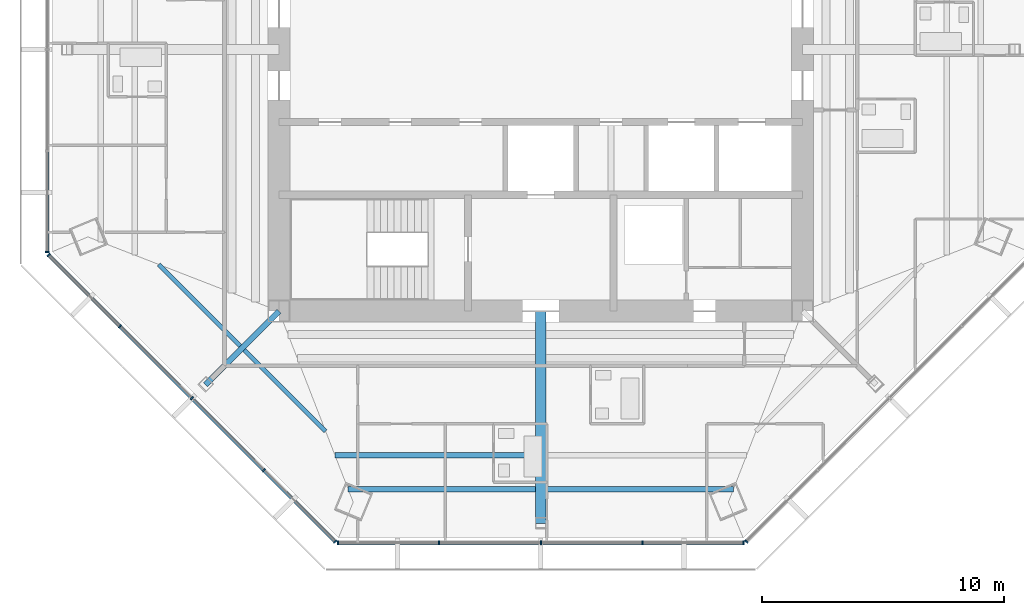
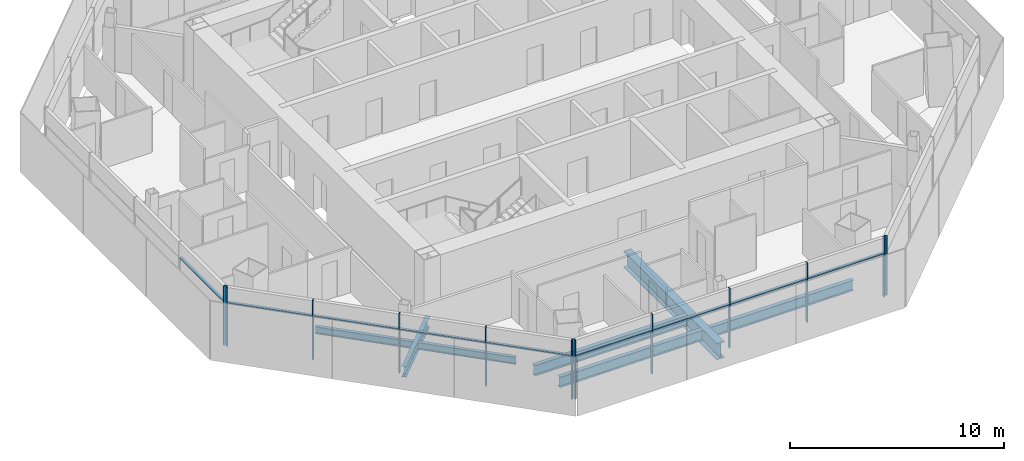
# One storey, part 2 of 15: 21 members, 7 beams, 4 elements without a shape of their own.
"""IFC4 building model written with IfcOpenShell, lengths in metres."""

import ifcopenshell
import ifcopenshell.guid

model = None  # the IFC model being written
_history = None  # IfcOwnerHistory: only IFC2X3 demands one
_inside = {}  # id of a spatial element -> (the spatial element, [elements in it])
_under = {}  # id of a project, library or spatial element -> (it, [spatial elements below it])
_declared = {}  # id of a project -> (the project, [libraries it declares])
_typed = {}  # id of a type object -> (the type object, [elements of that type])
_made_of = {}  # id of a material, layer set ... -> (it, [elements and type objects made of it])


def new_model(schema):
    """Start an empty IFC model of exactly this schema.

    Asked for "IFC4X3", IfcOpenShell would pick the latest addendum, in which some entities
    have other attributes; the version numbers below select the first issue.
    IFC2X3 requires an IfcOwnerHistory on every rooted entity: one is made here for all.
    """
    global model, _history
    if schema == "IFC4X3":
        model = ifcopenshell.file(schema_version=(4, 3, 0, 0))
    else:
        model = ifcopenshell.file(schema=schema)
    _inside.clear()
    _under.clear()
    _declared.clear()
    _typed.clear()
    _made_of.clear()
    _history = None
    if model.schema == "IFC2X3":
        org = make("IfcOrganization", Name="unknown")
        user = make(
            "IfcPersonAndOrganization",
            ThePerson=make("IfcPerson", FamilyName="unknown"),
            TheOrganization=org,
        )
        app = make(
            "IfcApplication",
            ApplicationDeveloper=org,
            Version="unknown",
            ApplicationFullName="unknown",
            ApplicationIdentifier="unknown",
        )
        _history = make(
            "IfcOwnerHistory",
            OwningUser=user,
            OwningApplication=app,
            ChangeAction="ADDED",
            CreationDate=0,
        )
    return model


def make(cls, **values):
    """One entity of the class cls with the attributes given. An attribute that is None is left unset."""
    return model.create_entity(
        cls, **{name: value for name, value in values.items() if value is not None}
    )


def rooted(cls, **values):
    """An entity with a GlobalId (a new one), such as an element, a storey or a relation."""
    return make(cls, GlobalId=ifcopenshell.guid.new(), OwnerHistory=_history, **values)


def si_unit(unit_type, name, prefix=None):
    """IfcSIUnit, for example si_unit("LENGTHUNIT", "METRE", prefix="MILLI")."""
    return make("IfcSIUnit", UnitType=unit_type, Prefix=prefix, Name=name)


def assignment(units):
    """IfcUnitAssignment: the units of a project."""
    return None if units is None else make("IfcUnitAssignment", Units=units)


def point(xyz):
    """IfcCartesianPoint."""
    return None if xyz is None else make("IfcCartesianPoint", Coordinates=xyz)


def direction(xyz):
    """IfcDirection."""
    return None if xyz is None else make("IfcDirection", DirectionRatios=xyz)


def frame(location, z_axis=None, x_axis=None):
    """IfcAxis2Placement3D, a coordinate frame: its origin and axes. An axis left out is left unset."""
    return make(
        "IfcAxis2Placement3D",
        Location=point(location),
        Axis=direction(z_axis),
        RefDirection=direction(x_axis),
    )


def frame_2d(location, x_axis=None):
    """IfcAxis2Placement2D, a coordinate frame in the plane: its origin and x axis."""
    return make(
        "IfcAxis2Placement2D", Location=point(location), RefDirection=direction(x_axis)
    )


def origin():
    """The frame at (0, 0, 0) with its axes left unset."""
    return frame((0.0, 0.0, 0.0))


def origin_2d():
    """The frame at (0, 0) in the plane with its x axis left unset."""
    return frame_2d((0.0, 0.0))


def place(relative_to, where):
    """IfcLocalPlacement: puts the frame where relative to a parent placement (None: the world)."""
    return make(
        "IfcLocalPlacement", PlacementRelTo=relative_to, RelativePlacement=where
    )


def context(
    kind, dimensions, precision=None, world=None, true_north=None, identifier=None
):
    """IfcGeometricRepresentationContext, for example the 3D "Model" context."""
    return make(
        "IfcGeometricRepresentationContext",
        ContextIdentifier=identifier,
        ContextType=kind,
        CoordinateSpaceDimension=dimensions,
        Precision=precision,
        WorldCoordinateSystem=world,
        TrueNorth=true_north,
    )


def subcontext(parent, identifier, kind, view, scale=None):
    """IfcGeometricRepresentationSubContext, for example "Body" below "Model"."""
    return make(
        "IfcGeometricRepresentationSubContext",
        ContextIdentifier=identifier,
        ContextType=kind,
        ParentContext=parent,
        TargetScale=scale,
        TargetView=view,
    )


def project(units=None, contexts=None):
    """IfcProject with its units and contexts."""
    return rooted(
        "IfcProject",
        Name="project",
        RepresentationContexts=contexts,
        UnitsInContext=assignment(units),
    )


def spatial(cls, under=None, at=None, **own):
    """A site, building, storey or space (cls), placed at a placement, below another one or the project."""
    s = rooted(cls, ObjectPlacement=at, **own)
    if under is not None:
        _under.setdefault(under.id(), (under, []))[1].append(s)
    return s


def profile(cls, at=None, kind="AREA", **sizes):
    """A parametric profile (cls). Its sizes go by their IFC names, for example OverallWidth=200.0."""
    return make(cls, ProfileType=kind, Position=at, **sizes)


def rectangle(**sizes):
    """IfcRectangleProfileDef."""
    return profile("IfcRectangleProfileDef", **sizes)


def i_section(**sizes):
    """IfcIShapeProfileDef."""
    return profile("IfcIShapeProfileDef", **sizes)


def extrude(swept, where, along, depth):
    """IfcExtrudedAreaSolid: the profile swept, set in the frame where, extruded along a direction by depth."""
    return make(
        "IfcExtrudedAreaSolid",
        SweptArea=swept,
        Position=where,
        ExtrudedDirection=direction(along),
        Depth=depth,
    )


def shape(context_of_items, identifier, shape_type, items):
    """IfcShapeRepresentation: the items that make up one representation, for example the "Body"."""
    return make(
        "IfcShapeRepresentation",
        ContextOfItems=context_of_items,
        RepresentationIdentifier=identifier,
        RepresentationType=shape_type,
        Items=items,
    )


def source(mapping_origin, context_of_items, identifier, shape_type, items):
    """IfcRepresentationMap: a shape defined once, which mapped items show again and again."""
    return make(
        "IfcRepresentationMap",
        MappingOrigin=mapping_origin,
        MappedRepresentation=shape(context_of_items, identifier, shape_type, items),
    )


def transform(
    local_origin,
    x_axis=None,
    y_axis=None,
    z_axis=None,
    scale=None,
    scale2=None,
    scale3=None,
    uniform=True,
):
    """IfcCartesianTransformationOperator3D, or its non-uniform kind. x_axis, y_axis, z_axis: its Axis1, 2, 3."""
    if uniform:
        return make(
            "IfcCartesianTransformationOperator3D",
            Axis1=direction(x_axis),
            Axis2=direction(y_axis),
            LocalOrigin=point(local_origin),
            Scale=scale,
            Axis3=direction(z_axis),
        )
    return make(
        "IfcCartesianTransformationOperator3DnonUniform",
        Axis1=direction(x_axis),
        Axis2=direction(y_axis),
        LocalOrigin=point(local_origin),
        Scale=scale,
        Axis3=direction(z_axis),
        Scale2=scale2,
        Scale3=scale3,
    )


def mapped(mapping_source, mapping_target):
    """IfcMappedItem: shows the shape of a source again, moved by a transform."""
    return make(
        "IfcMappedItem", MappingSource=mapping_source, MappingTarget=mapping_target
    )


def material(Name=None, Category=None):
    """IfcMaterial."""
    return make("IfcMaterial", Name=Name, Category=Category)


def material_profile(
    of_material, cross_section, Name=None, Category=None, Priority=None
):
    """IfcMaterialProfile: a cross section and its material."""
    return make(
        "IfcMaterialProfile",
        Name=Name,
        Material=of_material,
        Profile=cross_section,
        Priority=Priority,
        Category=Category,
    )


def profile_set(profiles, Name=None, composite=None):
    """IfcMaterialProfileSet."""
    return make(
        "IfcMaterialProfileSet",
        Name=Name,
        MaterialProfiles=profiles,
        CompositeProfile=composite,
    )


def made_of(thing, what):
    """Note that an element or type object is made of a material, layer set ...; save() writes the relation."""
    if what is not None:
        _made_of.setdefault(what.id(), (what, []))[1].append(thing)
    return thing


def type_object(cls, material=None, **own):
    """A type object (cls), such as IfcWallType, which elements share."""
    return made_of(rooted(cls, **own), material)


def type_shapes(of_type, sources):
    """Give a type object the sources (RepresentationMaps) that its elements show as mapped items."""
    of_type.RepresentationMaps = sources


def element(
    cls,
    number,
    at=None,
    inside=None,
    cuts=None,
    type_object=None,
    material=None,
    context=None,
    identifier="Body",
    shape_type=None,
    held_by="IfcProductDefinitionShape",
    body=None,
    shapes=None,
    **own,
):
    """One element of the class cls, such as IfcWall. Its Tag is "e" and its number.

    at: its placement. inside: the storey or other place that contains it. cuts: it is an
    opening in that element (IfcRelVoidsElement). A single representation is given by context,
    identifier, shape_type and body (its items); several are given by shapes. held_by: the class
    of the entity that holds the representations. save() writes the other relations.
    """
    e = rooted(cls, Tag="e%d" % number, ObjectPlacement=at, **own)
    if body is not None:
        shapes = [shape(context, identifier, shape_type, body)]
    if shapes is not None:
        e.Representation = make(held_by, Representations=shapes)
    if inside is not None:
        _inside.setdefault(inside.id(), (inside, []))[1].append(e)
    if cuts is not None:
        rooted(
            "IfcRelVoidsElement", RelatingBuildingElement=cuts, RelatedOpeningElement=e
        )
    if type_object is not None:
        _typed.setdefault(type_object.id(), (type_object, []))[1].append(e)
    return made_of(e, material)


def aggregate(whole, parts):
    """IfcRelAggregates: a whole, such as a stair, and the parts it consists of."""
    return rooted("IfcRelAggregates", RelatingObject=whole, RelatedObjects=parts)


def save(model, path):
    """Write the relations noted so far, then the file.

    IfcRelAggregates (storeys below a building ...), IfcRelContainedInSpatialStructure (elements
    in a storey), IfcRelDefinesByType, IfcRelAssociatesMaterial and IfcRelDeclares: one each for
    every whole, place, type object, material and project.
    """
    for whole, parts in _under.values():
        aggregate(whole, parts)
    for where, things in _inside.values():
        rooted(
            "IfcRelContainedInSpatialStructure",
            RelatedElements=things,
            RelatingStructure=where,
        )
    for kind, things in _typed.values():
        rooted("IfcRelDefinesByType", RelatedObjects=things, RelatingType=kind)
    for what, things in _made_of.values():
        rooted("IfcRelAssociatesMaterial", RelatedObjects=things, RelatingMaterial=what)
    for by, libraries in _declared.values():
        rooted("IfcRelDeclares", RelatingContext=by, RelatedDefinitions=libraries)
    model.write(path)


model = new_model("IFC4")

# Units and contexts
model_context = context("Model", 3, precision=1e-05, world=origin(), true_north=direction((0.0, 1.0)))
body_context = subcontext(model_context, "Body", "Model", "MODEL_VIEW")
ifc_project = project(units=[si_unit("LENGTHUNIT", "METRE"), si_unit("AREAUNIT", "SQUARE_METRE"), si_unit("VOLUMEUNIT", "CUBIC_METRE"), si_unit("PLANEANGLEUNIT", "RADIAN"), si_unit("MASSUNIT", "GRAM", prefix="KILO")], contexts=[model_context])

# Site, building, storey
site_placement = place(None, origin())
site = spatial("IfcSite", under=ifc_project, at=site_placement, CompositionType="ELEMENT")
building_placement = place(site_placement, origin())
building = spatial("IfcBuilding", under=site, at=building_placement, Name="Mashrafa Tower", CompositionType="ELEMENT")
storey_placement = place(building_placement, frame((0.0, 0.0, 270.800048828125)))
storey = spatial("IfcBuildingStorey", under=building, at=storey_placement, Name="L65", CompositionType="ELEMENT", Elevation=270.800048828125)

# Beams
ifc_material_1 = material(Name="Steel ASTM A992", Category="steel")
ifc_material_profile_1 = material_profile(ifc_material_1, i_section(OverallWidth=0.177734375, OverallDepth=0.406494140625, WebThickness=0.0078125, FlangeThickness=0.012939453125, FilletRadius=0.01025390625, at=origin_2d()), Name="W16X40")
ifc_profile_set_1 = profile_set([ifc_material_profile_1], Name="Steel ASTM A992")
beam_type_1 = type_object("IfcBeamType", Name="Beam W16X40", PredefinedType="BEAM", material=ifc_profile_set_1)
for number, where, z_axis, x_axis, name in (
    (1, (-12.396484375, -12.234619140625, -0.4033203125), (-0.7070810911, 0.70713247034, 0.0), (-0.70713247034, -0.7070810911, 0.0), "Floor beam L65 008"),
    (2, (-8.87451171875, -15.75634765625, -0.4033203125), (-0.70713247034, 0.7070810911, 0.0), (-0.7070810911, -0.70713247034, 0.0), "Floor beam L65 014"),
):
    element("IfcBeam", number, at=place(storey_placement, frame(where, z_axis=z_axis, x_axis=x_axis)), inside=storey, type_object=beam_type_1, Name=name, PredefinedType="BEAM", context=body_context, shape_type="SweptSolid", body=[
        extrude(i_section(OverallWidth=0.177734375, OverallDepth=0.406494140625, WebThickness=0.0078125, FlangeThickness=0.012939453125, FilletRadius=0.01025390625, at=origin_2d()), origin(), (0.0, 0.0, 1.0), 4.751708984375),
    ])
ifc_material_2 = material(Name="Steel ASTM A992", Category="steel")
ifc_material_profile_2 = material_profile(ifc_material_2, i_section(OverallWidth=0.227783203125, OverallDepth=0.60205078125, WebThickness=0.010498046875, FlangeThickness=0.014892578125, FilletRadius=0.012939453125, at=origin_2d()), Name="W24X68")
ifc_profile_set_2 = profile_set([ifc_material_profile_2], Name="Steel ASTM A992")
beam_type_2 = type_object("IfcBeamType", Name="Beam W24X68", PredefinedType="BEAM", material=ifc_profile_set_2)
beam_1_placement = place(storey_placement, frame((-0.20947265625, -18.150390625, -0.5009765625), z_axis=(-1.0, 0.0, 0.0), x_axis=(0.0, -1.0, 0.0)))
element("IfcBeam", 3, at=beam_1_placement, inside=storey, type_object=beam_type_2, Name="Floor beam L65 017", PredefinedType="BEAM", context=body_context, shape_type="SweptSolid", body=[
    extrude(i_section(OverallWidth=0.227783203125, OverallDepth=0.60205078125, WebThickness=0.010498046875, FlangeThickness=0.014892578125, FilletRadius=0.012939453125, at=origin_2d()), origin(), (0.0, 0.0, 1.0), 7.735107421875),
])
beam_2_placement = place(storey_placement, frame((-0.20947265625, -16.740966796875, -0.5009765625), z_axis=(-1.0, 0.0, 0.0), x_axis=(0.0, -1.0, 0.0)))
element("IfcBeam", 4, at=beam_2_placement, inside=storey, type_object=beam_type_2, Name="Floor beam L65 018", PredefinedType="BEAM", context=body_context, shape_type="SweptSolid", body=[
    extrude(i_section(OverallWidth=0.227783203125, OverallDepth=0.60205078125, WebThickness=0.010498046875, FlangeThickness=0.014892578125, FilletRadius=0.012939453125, at=origin_2d()), origin(), (0.0, 0.0, 1.0), 8.28271484375),
])
beam_3_placement = place(storey_placement, frame((7.944580078125, -18.150390625, -0.5009765625), z_axis=(-1.0, 0.0, 0.0), x_axis=(0.0, -1.0, 0.0)))
element("IfcBeam", 5, at=beam_3_placement, inside=storey, type_object=beam_type_2, Name="Floor beam L65 025", PredefinedType="BEAM", context=body_context, shape_type="SweptSolid", body=[
    extrude(i_section(OverallWidth=0.227783203125, OverallDepth=0.60205078125, WebThickness=0.010498046875, FlangeThickness=0.014892578125, FilletRadius=0.012939453125, at=origin_2d()), origin(), (0.0, 0.0, 1.0), 7.735107421875),
])
ifc_material_3 = material(Name="Steel ASTM A992", Category="steel")
ifc_material_profile_3 = material_profile(ifc_material_3, i_section(OverallWidth=0.22900390625, OverallDepth=0.612060546875, WebThickness=0.011962890625, FlangeThickness=0.01953125, FilletRadius=0.0126953125, at=origin_2d()), Name="W24X84")
ifc_profile_set_3 = profile_set([ifc_material_profile_3], Name="Steel ASTM A992")
beam_type_3 = type_object("IfcBeamType", Name="Beam W24X84", PredefinedType="BEAM", material=ifc_profile_set_3)
beam_4_placement = place(storey_placement, frame((-10.800048828125, -10.800048828125, -0.506103515625), z_axis=(-0.707106781187, -0.707106781187, 0.0), x_axis=(0.707106781187, -0.707106781187, 0.0)))
element("IfcBeam", 6, at=beam_4_placement, inside=storey, type_object=beam_type_3, Name="Radial girder L65 041", PredefinedType="BEAM", context=body_context, shape_type="SweptSolid", body=[
    extrude(i_section(OverallWidth=0.22900390625, OverallDepth=0.612060546875, WebThickness=0.011962890625, FlangeThickness=0.01953125, FilletRadius=0.0126953125, at=origin_2d()), origin(), (0.0, 0.0, 1.0), 4.2861328125),
])
ifc_material_4 = material(Name="Steel ASTM A992", Category="steel")
ifc_material_profile_4 = material_profile(ifc_material_4, i_section(OverallWidth=0.419189453125, OverallDepth=0.927001953125, WebThickness=0.019287109375, FlangeThickness=0.031982421875, FilletRadius=0.020263671875, at=origin_2d()), Name="W36X231")
ifc_profile_set_4 = profile_set([ifc_material_profile_4], Name="Steel ASTM A992")
beam_type_4 = type_object("IfcBeamType", Name="Beam W36X231", PredefinedType="BEAM", material=ifc_profile_set_4)
beam_5_placement = place(storey_placement, frame((0.0, -10.800048828125, -0.66357421875), z_axis=(0.0, -1.0, 0.0), x_axis=(1.0, 0.0, 0.0)))
element("IfcBeam", 7, at=beam_5_placement, inside=storey, type_object=beam_type_4, Name="Radial girder L65 044", PredefinedType="BEAM", context=body_context, shape_type="SweptSolid", body=[
    extrude(i_section(OverallWidth=0.419189453125, OverallDepth=0.927001953125, WebThickness=0.019287109375, FlangeThickness=0.031982421875, FilletRadius=0.020263671875, at=origin_2d()), origin(), (0.0, 0.0, 1.0), 8.759765625),
])

# Curtain wall, member
ifc_material_5 = material(Name="Unitised aluminium curtain wall", Category="aluminium")
curtain_wall_type = type_object("IfcCurtainWallType", Name="Apartment curtain wall, zone 4 CW-D 160 deep", PredefinedType="NOTDEFINED", material=ifc_material_5)
curtain_wall_1_placement = place(storey_placement, origin())
curtain_wall_1 = element("IfcCurtainWall", 8, at=curtain_wall_1_placement, inside=storey, type_object=curtain_wall_type, Name="Apartment curtain wall, zone 4 L65 west", PredefinedType="NOTDEFINED")
ifc_material_6 = material(Name="Extruded aluminium mullion", Category="aluminium")
ifc_material_profile_5 = material_profile(ifc_material_6, rectangle(XDim=0.159912109375, YDim=0.06005859375, at=origin_2d()), Name="Mullion 60x160")
ifc_profile_set_5 = profile_set([ifc_material_profile_5], Name="Extruded aluminium mullion")
member_type_1 = type_object("IfcMemberType", Name="Mullion CW-D 60 x 160", PredefinedType="MULLION", material=ifc_profile_set_5)
shared_shape_1 = source(origin(), body_context, "Body", "SweptSolid", [
    extrude(rectangle(XDim=0.159912109375, YDim=0.06005859375, at=origin_2d()), origin(), (0.0, 0.0, 1.0), 3.39990234375),
])
type_shapes(member_type_1, [shared_shape_1])
member_1_placement = place(storey_placement, frame((-20.354248046875, -8.35791015625, 0.0), z_axis=(0.0, 0.0, 1.0), x_axis=(1.0, 0.0, 0.0)))
member_1 = element("IfcMember", 9, at=member_1_placement, type_object=member_type_1, Name="CW-D mullion 5", PredefinedType="MULLION", context=body_context, shape_type="MappedRepresentation", body=[
    mapped(shared_shape_1, transform((0.0, 0.0, 0.0))),
])

# Curtain wall, members
curtain_wall_2_placement = place(storey_placement, origin())
curtain_wall_2 = element("IfcCurtainWall", 10, at=curtain_wall_2_placement, inside=storey, type_object=curtain_wall_type, Name="Apartment curtain wall, zone 4 L65 south-west", PredefinedType="NOTDEFINED")
member_2_placement = place(storey_placement, frame((-20.302490234375, -8.482666015625, 0.0), z_axis=(0.0, 0.0, 1.0), x_axis=(0.707106781187, 0.707106781187, 0.0)))
member_2 = element("IfcMember", 11, at=member_2_placement, type_object=member_type_1, Name="CW-D mullion 1", PredefinedType="MULLION", context=body_context, shape_type="MappedRepresentation", body=[
    mapped(shared_shape_1, transform((0.0, 0.0, 0.0))),
])
member_3_placement = place(storey_placement, frame((-17.358154296875, -11.427001953125, 0.0), z_axis=(0.0, 0.0, 1.0), x_axis=(0.707106781187, 0.707106781187, 0.0)))
member_3 = element("IfcMember", 12, at=member_3_placement, type_object=member_type_1, Name="CW-D mullion 2", PredefinedType="MULLION", context=body_context, shape_type="MappedRepresentation", body=[
    mapped(shared_shape_1, transform((0.0, 0.0, 0.0))),
])
member_4_placement = place(storey_placement, frame((-14.392578125, -14.392578125, 0.0), z_axis=(0.0, 0.0, 1.0), x_axis=(0.707106781187, 0.707106781187, 0.0)))
member_4 = element("IfcMember", 13, at=member_4_placement, type_object=member_type_1, Name="CW-D mullion 3", PredefinedType="MULLION", context=body_context, shape_type="MappedRepresentation", body=[
    mapped(shared_shape_1, transform((0.0, 0.0, 0.0))),
])
member_5_placement = place(storey_placement, frame((-11.427001953125, -17.358154296875, 0.0), z_axis=(0.0, 0.0, 1.0), x_axis=(0.707106781187, 0.707106781187, 0.0)))
member_5 = element("IfcMember", 14, at=member_5_placement, type_object=member_type_1, Name="CW-D mullion 4", PredefinedType="MULLION", context=body_context, shape_type="MappedRepresentation", body=[
    mapped(shared_shape_1, transform((0.0, 0.0, 0.0))),
])
member_6_placement = place(storey_placement, frame((-8.482666015625, -20.302490234375, 0.0), z_axis=(0.0, 0.0, 1.0), x_axis=(0.707106781187, 0.707106781187, 0.0)))
member_6 = element("IfcMember", 15, at=member_6_placement, type_object=member_type_1, Name="CW-D mullion 5", PredefinedType="MULLION", context=body_context, shape_type="MappedRepresentation", body=[
    mapped(shared_shape_1, transform((0.0, 0.0, 0.0))),
])

curtain_wall_3_placement = place(storey_placement, origin())
curtain_wall_3 = element("IfcCurtainWall", 16, at=curtain_wall_3_placement, inside=storey, type_object=curtain_wall_type, Name="Apartment curtain wall, zone 4 L65 south", PredefinedType="NOTDEFINED")
member_7_placement = place(storey_placement, frame((-8.35791015625, -20.354248046875, 0.0), z_axis=(0.0, 0.0, 1.0), x_axis=(0.0, 1.0, 0.0)))
member_7 = element("IfcMember", 17, at=member_7_placement, type_object=member_type_1, Name="CW-D mullion 1", PredefinedType="MULLION", context=body_context, shape_type="MappedRepresentation", body=[
    mapped(shared_shape_1, transform((0.0, 0.0, 0.0))),
])
member_8_placement = place(storey_placement, frame((-4.19384765625, -20.354248046875, 0.0), z_axis=(0.0, 0.0, 1.0), x_axis=(0.0, 1.0, 0.0)))
member_8 = element("IfcMember", 18, at=member_8_placement, type_object=member_type_1, Name="CW-D mullion 2", PredefinedType="MULLION", context=body_context, shape_type="MappedRepresentation", body=[
    mapped(shared_shape_1, transform((0.0, 0.0, 0.0))),
])
member_9_placement = place(storey_placement, frame((0.0, -20.354248046875, 0.0), z_axis=(0.0, 0.0, 1.0), x_axis=(0.0, 1.0, 0.0)))
member_9 = element("IfcMember", 19, at=member_9_placement, type_object=member_type_1, Name="CW-D mullion 3", PredefinedType="MULLION", context=body_context, shape_type="MappedRepresentation", body=[
    mapped(shared_shape_1, transform((0.0, 0.0, 0.0))),
])
member_10_placement = place(storey_placement, frame((4.19384765625, -20.354248046875, 0.0), z_axis=(0.0, 0.0, 1.0), x_axis=(0.0, 1.0, 0.0)))
member_10 = element("IfcMember", 20, at=member_10_placement, type_object=member_type_1, Name="CW-D mullion 4", PredefinedType="MULLION", context=body_context, shape_type="MappedRepresentation", body=[
    mapped(shared_shape_1, transform((0.0, 0.0, 0.0))),
])
member_11_placement = place(storey_placement, frame((8.35791015625, -20.354248046875, 0.0), z_axis=(0.0, 0.0, 1.0), x_axis=(0.0, 1.0, 0.0)))
member_11 = element("IfcMember", 21, at=member_11_placement, type_object=member_type_1, Name="CW-D mullion 5", PredefinedType="MULLION", context=body_context, shape_type="MappedRepresentation", body=[
    mapped(shared_shape_1, transform((0.0, 0.0, 0.0))),
])

# Curtain wall, member
curtain_wall_4_placement = place(storey_placement, origin())
curtain_wall_4 = element("IfcCurtainWall", 22, at=curtain_wall_4_placement, inside=storey, type_object=curtain_wall_type, Name="Apartment curtain wall, zone 4 L65 south-east", PredefinedType="NOTDEFINED")
member_12_placement = place(storey_placement, frame((8.482666015625, -20.302490234375, 0.0), z_axis=(0.0, 0.0, 1.0), x_axis=(-0.707106781187, 0.707106781187, 0.0)))
member_12 = element("IfcMember", 23, at=member_12_placement, type_object=member_type_1, Name="CW-D mullion 1", PredefinedType="MULLION", context=body_context, shape_type="MappedRepresentation", body=[
    mapped(shared_shape_1, transform((0.0, 0.0, 0.0))),
])
aggregate(curtain_wall_4, [member_12])

# Member
ifc_material_7 = material(Name="Extruded aluminium transom", Category="aluminium")
ifc_material_profile_6 = material_profile(ifc_material_7, rectangle(XDim=0.1279296875, YDim=0.074951171875, at=origin_2d()), Name="Transom 75x128")
ifc_profile_set_6 = profile_set([ifc_material_profile_6], Name="Extruded aluminium transom")
member_type_2 = type_object("IfcMemberType", Name="Transom CW-D 75 x 128", PredefinedType="MULLION", material=ifc_profile_set_6)
shared_shape_2 = source(origin(), body_context, "Body", "SweptSolid", [
    extrude(rectangle(XDim=0.1279296875, YDim=0.074951171875, at=origin_2d()), origin(), (0.0, 0.0, 1.0), 4.10400390625),
])
member_13_placement = place(storey_placement, frame((-20.354248046875, -4.223876953125, 2.5), z_axis=(0.0, -1.0, 0.0), x_axis=(1.0, 0.0, 0.0)))
member_13 = element("IfcMember", 24, at=member_13_placement, type_object=member_type_2, Name="CW-D transom 4", PredefinedType="MULLION", context=body_context, shape_type="MappedRepresentation", body=[
    mapped(shared_shape_2, transform((0.0, 0.0, 0.0))),
])

aggregate(curtain_wall_1, [member_1, member_13])

member_14_placement = place(storey_placement, frame((-8.327880859375, -20.354248046875, 2.5), z_axis=(1.0, 0.0, 0.0), x_axis=(0.0, 1.0, 0.0)))
member_14 = element("IfcMember", 25, at=member_14_placement, type_object=member_type_2, Name="CW-D transom 1", PredefinedType="MULLION", context=body_context, shape_type="MappedRepresentation", body=[
    mapped(shared_shape_2, transform((0.0, 0.0, 0.0))),
])

member_15_placement = place(storey_placement, frame((4.223876953125, -20.354248046875, 2.5), z_axis=(1.0, 0.0, 0.0), x_axis=(0.0, 1.0, 0.0)))
member_15 = element("IfcMember", 26, at=member_15_placement, type_object=member_type_2, Name="CW-D transom 4", PredefinedType="MULLION", context=body_context, shape_type="MappedRepresentation", body=[
    mapped(shared_shape_2, transform((0.0, 0.0, 0.0))),
])

shared_shape_3 = source(origin(), body_context, "Body", "SweptSolid", [
    extrude(rectangle(XDim=0.1279296875, YDim=0.074951171875, at=origin_2d()), origin(), (0.0, 0.0, 1.0), 4.1337890625),
])
member_16_placement = place(storey_placement, frame((-17.3369140625, -11.4482421875, 2.5), z_axis=(0.707106781187, -0.707106781187, 0.0), x_axis=(0.707106781187, 0.707106781187, 0.0)))
member_16 = element("IfcMember", 27, at=member_16_placement, type_object=member_type_2, Name="CW-D transom 2", PredefinedType="MULLION", context=body_context, shape_type="MappedRepresentation", body=[
    mapped(shared_shape_3, transform((0.0, 0.0, 0.0))),
])

member_17_placement = place(storey_placement, frame((-14.371337890625, -14.413818359375, 2.5), z_axis=(0.707106781187, -0.707106781187, 0.0), x_axis=(0.707106781187, 0.707106781187, 0.0)))
member_17 = element("IfcMember", 28, at=member_17_placement, type_object=member_type_2, Name="CW-D transom 3", PredefinedType="MULLION", context=body_context, shape_type="MappedRepresentation", body=[
    mapped(shared_shape_3, transform((0.0, 0.0, 0.0))),
])

member_18_placement = place(storey_placement, frame((-4.163818359375, -20.354248046875, 2.5), z_axis=(1.0, 0.0, 0.0), x_axis=(0.0, 1.0, 0.0)))
member_18 = element("IfcMember", 29, at=member_18_placement, type_object=member_type_2, Name="CW-D transom 2", PredefinedType="MULLION", context=body_context, shape_type="MappedRepresentation", body=[
    mapped(shared_shape_3, transform((0.0, 0.0, 0.0))),
])

member_19_placement = place(storey_placement, frame((0.030029296875, -20.354248046875, 2.5), z_axis=(1.0, 0.0, 0.0), x_axis=(0.0, 1.0, 0.0)))
member_19 = element("IfcMember", 30, at=member_19_placement, type_object=member_type_2, Name="CW-D transom 3", PredefinedType="MULLION", context=body_context, shape_type="MappedRepresentation", body=[
    mapped(shared_shape_3, transform((0.0, 0.0, 0.0))),
])

aggregate(curtain_wall_3, [member_7, member_8, member_9, member_10, member_11, member_14, member_18, member_19, member_15])

shared_shape_4 = source(origin(), body_context, "Body", "SweptSolid", [
    extrude(rectangle(XDim=0.1279296875, YDim=0.074951171875, at=origin_2d()), origin(), (0.0, 0.0, 1.0), 4.103759765625),
])
type_shapes(member_type_2, [shared_shape_2, shared_shape_3, shared_shape_4])
member_20_placement = place(storey_placement, frame((-20.28125, -8.50390625, 2.5), z_axis=(0.707106781187, -0.707106781187, 0.0), x_axis=(0.707106781187, 0.707106781187, 0.0)))
member_20 = element("IfcMember", 31, at=member_20_placement, type_object=member_type_2, Name="CW-D transom 1", PredefinedType="MULLION", context=body_context, shape_type="MappedRepresentation", body=[
    mapped(shared_shape_4, transform((0.0, 0.0, 0.0))),
])

member_21_placement = place(storey_placement, frame((-11.40576171875, -17.37939453125, 2.5), z_axis=(0.707106781187, -0.707106781187, 0.0), x_axis=(0.707106781187, 0.707106781187, 0.0)))
member_21 = element("IfcMember", 32, at=member_21_placement, type_object=member_type_2, Name="CW-D transom 4", PredefinedType="MULLION", context=body_context, shape_type="MappedRepresentation", body=[
    mapped(shared_shape_4, transform((0.0, 0.0, 0.0))),
])

aggregate(curtain_wall_2, [member_2, member_3, member_4, member_5, member_6, member_20, member_16, member_17, member_21])

save(model, "model.ifc")
